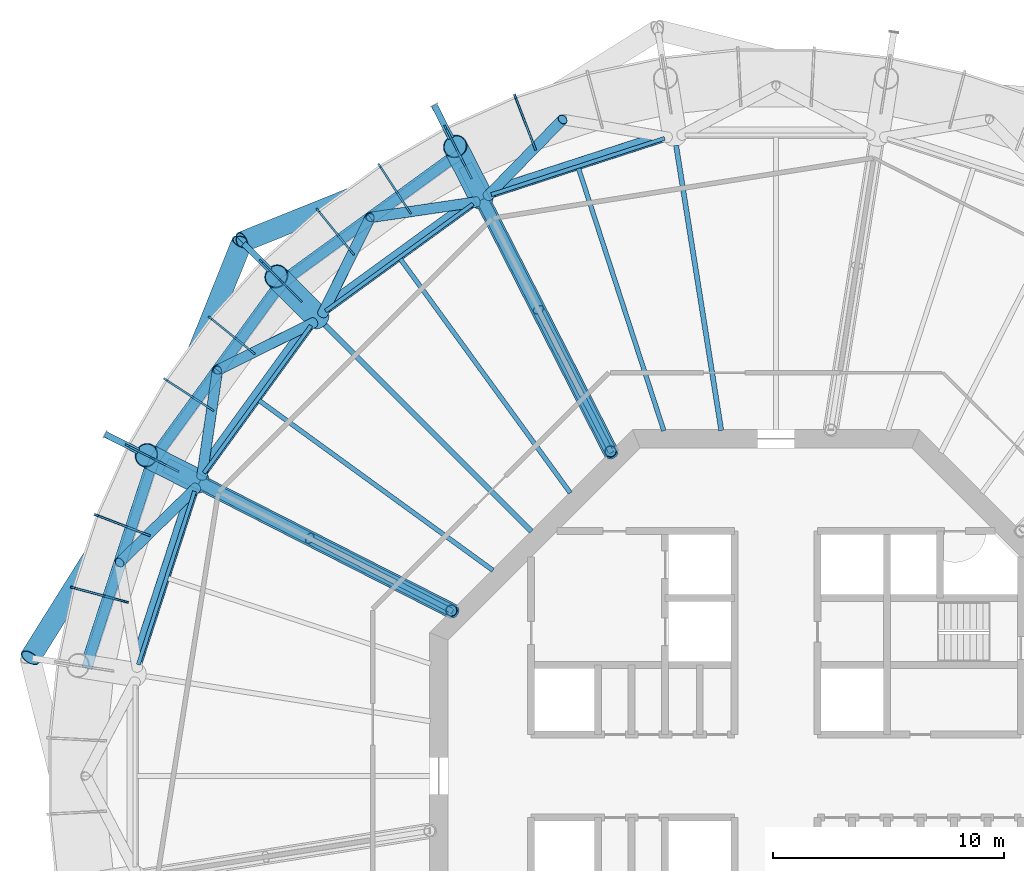
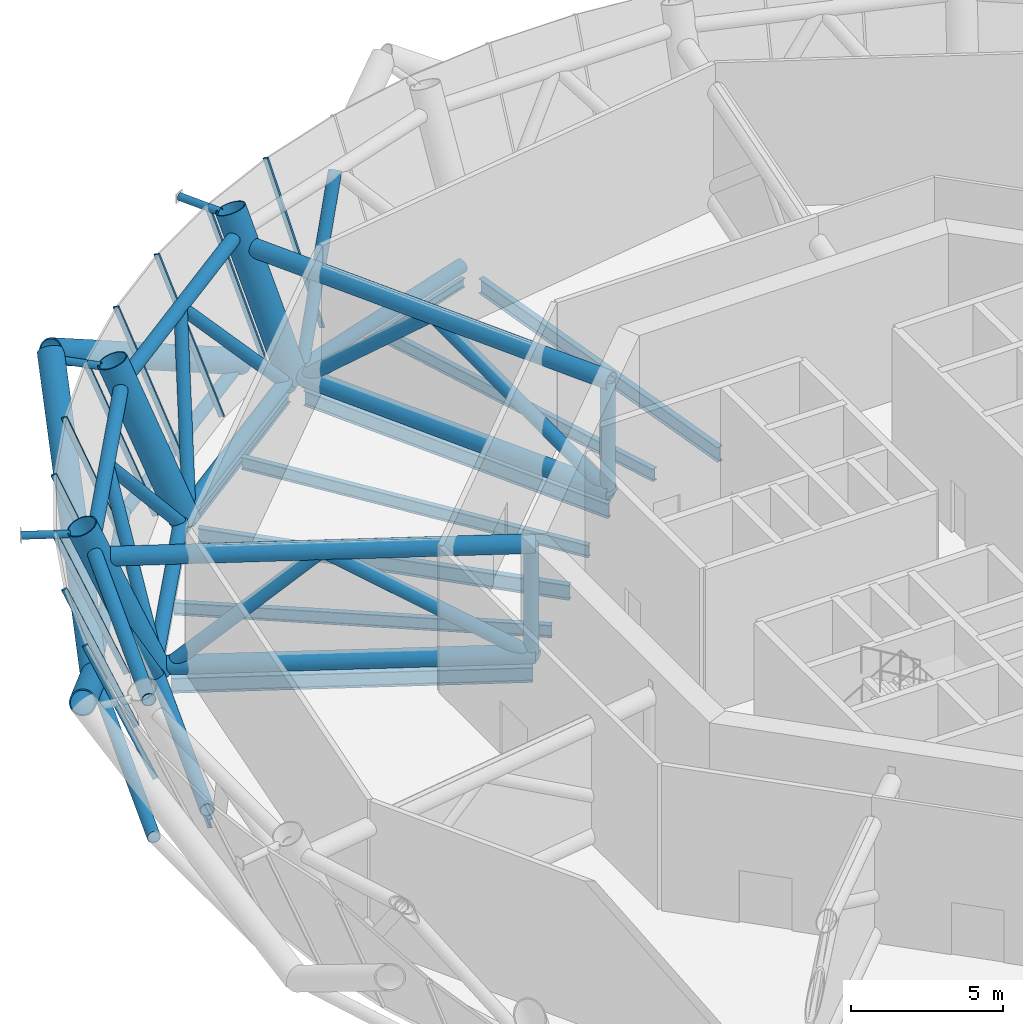
# One storey, part 4 of 20: 45 members, 11 beams, 4 elements without a shape of their own.
"""IFC4 building model written with IfcOpenShell, lengths in metres."""

from ifc_helpers import new_model, si_unit, direction, frame, origin, origin_2d, place, context, subcontext, project, spatial, rectangle, circle, hollow_circle, i_section, extrude, material, layer, layer_set, material_profile, profile_set, type_object, element, aggregate, save


model = new_model("IFC4")

# Units and contexts
model_context = context("Model", 3, precision=1e-05, world=origin(), true_north=direction((0.0, 1.0)))
body_context = subcontext(model_context, "Body", "Model", "MODEL_VIEW")
ifc_project = project(units=[si_unit("LENGTHUNIT", "METRE"), si_unit("AREAUNIT", "SQUARE_METRE"), si_unit("VOLUMEUNIT", "CUBIC_METRE"), si_unit("PLANEANGLEUNIT", "RADIAN"), si_unit("MASSUNIT", "GRAM", prefix="KILO")], contexts=[model_context])

# Site, building, storey
site_placement = place(None, origin())
site = spatial("IfcSite", under=ifc_project, at=site_placement, CompositionType="ELEMENT")
building_placement = place(site_placement, origin())
building = spatial("IfcBuilding", under=site, at=building_placement, Name="Entoto Ring Tower", CompositionType="ELEMENT")
storey_placement = place(building_placement, frame((0.0, 0.0, 330.0)))
storey = spatial("IfcBuildingStorey", under=building, at=storey_placement, Name="L76", CompositionType="ELEMENT", Elevation=330.0)

# Members
ifc_material_1 = material(Name="Steel S355", Category="steel")
ifc_material_profile_1 = material_profile(ifc_material_1, hollow_circle(Radius=0.449951171875, WallThickness=0.044921875, at=origin_2d()), Name="CHS 900 x 45")
ifc_material_2 = material(Name="Concrete C60/75", Category="concrete")
ifc_material_profile_2 = material_profile(ifc_material_2, circle(Radius=0.405029296875, at=origin_2d()), Name="Concrete C60/75 infill")
ifc_profile_set_1 = profile_set([ifc_material_profile_1, ifc_material_profile_2], Name="Steel S355")
member_type_1 = type_object("IfcMemberType", Name="Diagrid diagonal 900 x 45 concrete-filled tube", PredefinedType="BRACE", material=ifc_profile_set_1)
for number, where, z_axis, x_axis, name in (
    (1, (76.28955078125, 106.908447265625, 0.0), (-0.798539539663, -0.321230348917, 0.50906351915), (0.373207322886, -0.927747969086, 0.0), "DG2 module 25 08"),
    (2, (63.091552734375, 93.71044921875, 0.0), (0.321230348917, 0.798539539663, 0.50906351915), (-0.927747969086, 0.373207322886, 0.0), "DG2 module 25 09"),
):
    element("IfcMember", number, at=place(storey_placement, frame(where, z_axis=z_axis, x_axis=x_axis)), inside=storey, type_object=member_type_1, Name=name, PredefinedType="BRACE", context=body_context, shape_type="SweptSolid", body=[
        extrude(hollow_circle(Radius=0.449951171875, WallThickness=0.044921875, at=origin_2d()), origin(), (0.0, 0.0, 1.0), 11.786376953125),
    ])
member_1_placement = place(storey_placement, frame((63.091552734375, 93.71044921875, 0.0), z_axis=(-0.457223459156, -0.729241692547, 0.509070979578), x_axis=(0.847241662915, -0.531207647366, 0.0)))
element("IfcMember", 3, at=member_1_placement, inside=storey, type_object=member_type_1, Name="DG2 module 25 10", PredefinedType="BRACE", context=body_context, shape_type="SweptSolid", body=[
    extrude(hollow_circle(Radius=0.449951171875, WallThickness=0.044921875, at=origin_2d()), origin(), (0.0, 0.0, 1.0), 11.7861328125),
])
ifc_material_3 = material(Name="Steel S355", Category="steel")
ifc_material_profile_3 = material_profile(ifc_material_3, hollow_circle(Radius=0.136474609375, WallThickness=0.012451171875, at=origin_2d()), Name="CHS 273 x 12.5")
ifc_material_4 = material(Name="Concrete C60/75", Category="concrete")
ifc_material_profile_4 = material_profile(ifc_material_4, circle(Radius=0.1240234375, at=origin_2d()), Name="Concrete C60/75 infill")
ifc_profile_set_2 = profile_set([ifc_material_profile_3, ifc_material_profile_4], Name="Steel S355")
member_type_2 = type_object("IfcMemberType", Name="Diagrid node strut 273 x 12.5", PredefinedType="STRUT", material=ifc_profile_set_2)
for number, where, z_axis, x_axis, name in (
    (4, (75.932861328125, 107.6083984375, 5.71337890625), (-0.453975618933, 0.891014106181, 0.0), (-0.891014106181, -0.453975618933, 0.0), "DS2 strut ring 25 06"),
    (5, (68.08984375, 101.91015625, 5.71337890625), (-0.707106781187, 0.707106781187, 0.0), (-0.707106781187, -0.707106781187, 0.0), "DS2 strut ring 25 07"),
    (6, (62.3916015625, 94.067138671875, 5.71337890625), (-0.891014106181, 0.453975618933, 0.0), (-0.453975618933, -0.891014106181, 0.0), "DS2 strut ring 25 08"),
):
    element("IfcMember", number, at=place(storey_placement, frame(where, z_axis=z_axis, x_axis=x_axis)), inside=storey, type_object=member_type_2, Name=name, PredefinedType="STRUT", context=body_context, shape_type="SweptSolid", body=[
        extrude(hollow_circle(Radius=0.136474609375, WallThickness=0.012451171875, at=origin_2d()), origin(), (0.0, 0.0, 1.0), 1.614501953125),
    ])
ifc_material_5 = material(Name="Steel S355", Category="steel")
ifc_material_profile_5 = material_profile(ifc_material_5, hollow_circle(Radius=0.228515625, WallThickness=0.02001953125, at=origin_2d()), Name="CHS 457 x 20")
ifc_material_6 = material(Name="Concrete C60/75", Category="concrete")
ifc_material_profile_6 = material_profile(ifc_material_6, circle(Radius=0.20849609375, at=origin_2d()), Name="Concrete C60/75 infill")
ifc_profile_set_3 = profile_set([ifc_material_profile_5, ifc_material_profile_6], Name="Steel S355")
member_type_3 = type_object("IfcMemberType", Name="Diagrid ring beam 457 x 20", PredefinedType="CHORD", material=ifc_profile_set_3)
for number, where, z_axis, x_axis, name in (
    (7, (76.3349609375, 106.94140625, 0.0), (-0.809017564037, -0.587784468219, 0.0), (0.587784468219, -0.809017564037, 0.0), "DR3 ring 24 07"),
    (8, (68.678466796875, 101.400146484375, 0.0), (-0.587784468219, -0.809017564037, 0.0), (0.809017564037, -0.587784468219, 0.0), "DR3 ring 24 08"),
    (9, (63.10888671875, 93.763916015625, 0.0), (-0.309002348931, -0.951061274764, 0.0), (0.951061274764, -0.309002348931, 0.0), "DR3 ring 24 09"),
):
    element("IfcMember", number, at=place(storey_placement, frame(where, z_axis=z_axis, x_axis=x_axis)), inside=storey, type_object=member_type_3, Name=name, PredefinedType="CHORD", context=body_context, shape_type="SweptSolid", body=[
        extrude(hollow_circle(Radius=0.228515625, WallThickness=0.02001953125, at=origin_2d()), origin(), (0.0, 0.0, 1.0), 9.56103515625),
    ])

# Beams
ifc_material_7 = material(Name="Steel S355", Category="steel")
ifc_material_profile_7 = material_profile(ifc_material_7, i_section(OverallWidth=0.169921875, OverallDepth=0.360107421875, WebThickness=0.008056640625, FlangeThickness=0.0126953125, FilletRadius=0.01806640625, at=origin_2d()), Name="IPE 360")
ifc_profile_set_4 = profile_set([ifc_material_profile_7], Name="Steel S355")
beam_type_1 = type_object("IfcBeamType", Name="Edge beam IPE 360", PredefinedType="SPANDREL", material=ifc_profile_set_4)
beam_1_placement = place(storey_placement, frame((85.1787109375, 107.61572265625, -0.330078125), z_axis=(-0.951061101079, -0.309002883506, 0.0), x_axis=(0.309002883506, -0.951061101079, 0.0)))
element("IfcBeam", 10, at=beam_1_placement, inside=storey, type_object=beam_type_1, Name="Edge beam L76 06", PredefinedType="SPANDREL", context=body_context, shape_type="SweptSolid", body=[
    extrude(i_section(OverallWidth=0.169921875, OverallDepth=0.360107421875, WebThickness=0.008056640625, FlangeThickness=0.0126953125, FilletRadius=0.01806640625, at=origin_2d()), origin(), (0.0, 0.0, 1.0), 7.89697265625),
])
for number, where, z_axis, x_axis, name in (
    (11, (76.881103515625, 104.7744140625, -0.330078125), (-0.809015398073, -0.587787449408, 0.0), (0.587787449408, -0.809015398073, 0.0), "Edge beam L76 07"),
    (12, (69.867431640625, 99.5078125, -0.330078125), (-0.587787449408, -0.809015398073, 0.0), (0.809015398073, -0.587787449408, 0.0), "Edge beam L76 08"),
):
    element("IfcBeam", number, at=place(storey_placement, frame(where, z_axis=z_axis, x_axis=x_axis)), inside=storey, type_object=beam_type_1, Name=name, PredefinedType="SPANDREL", context=body_context, shape_type="SweptSolid", body=[
        extrude(i_section(OverallWidth=0.169921875, OverallDepth=0.360107421875, WebThickness=0.008056640625, FlangeThickness=0.0126953125, FilletRadius=0.01806640625, at=origin_2d()), origin(), (0.0, 0.0, 1.0), 7.897216796875),
    ])
beam_2_placement = place(storey_placement, frame((64.824462890625, 92.331787109375, -0.330078125), z_axis=(-0.309002883506, -0.951061101079, 0.0), x_axis=(0.951061101079, -0.309002883506, 0.0)))
element("IfcBeam", 13, at=beam_2_placement, inside=storey, type_object=beam_type_1, Name="Edge beam L76 09", PredefinedType="SPANDREL", context=body_context, shape_type="SweptSolid", body=[
    extrude(i_section(OverallWidth=0.169921875, OverallDepth=0.360107421875, WebThickness=0.008056640625, FlangeThickness=0.0126953125, FilletRadius=0.01806640625, at=origin_2d()), origin(), (0.0, 0.0, 1.0), 7.89697265625),
])

# Curtain wall, member
ifc_material_8 = material(Name="Anodised aluminium", Category="aluminium")
ifc_layer = layer(ifc_material_8, 0.10009765625)
ifc_layer_set = layer_set([ifc_layer], Name="Anodised aluminium")
curtain_wall_type = type_object("IfcCurtainWallType", Name="Louvre curtain wall system CW7", PredefinedType="NOTDEFINED", material=ifc_layer_set)
curtain_wall_1_placement = place(storey_placement, origin())
curtain_wall_1 = element("IfcCurtainWall", 14, at=curtain_wall_1_placement, inside=storey, type_object=curtain_wall_type, Name="CW7 L76-06", PredefinedType="NOTDEFINED")
ifc_material_9 = material(Name="Anodised aluminium", Category="aluminium")
ifc_material_profile_8 = material_profile(ifc_material_9, rectangle(XDim=0.080078125, YDim=0.199951171875, at=origin_2d()), Name="Mullion 80 x 200 mm anodised aluminium")
ifc_profile_set_5 = profile_set([ifc_material_profile_8], Name="Anodised aluminium")
member_type_4 = type_object("IfcMemberType", Name="Mullion 80 x 200 mm anodised aluminium", PredefinedType="MULLION", material=ifc_profile_set_5)
member_2_placement = place(storey_placement, frame((79.562744140625, 107.18994140625, 0.03857421875), z_axis=(-0.137840906866, 0.359065607861, 0.92307733893), x_axis=(-0.933573002991, -0.358387287841, 0.0)))
member_2 = element("IfcMember", 15, at=member_2_placement, type_object=member_type_4, Name="MULLION L76-17", PredefinedType="MULLION", context=body_context, shape_type="SweptSolid", body=[
    extrude(rectangle(XDim=0.080078125, YDim=0.199951171875, at=origin_2d()), origin(), (0.0, 0.0, 1.0), 6.25390625),
])
aggregate(curtain_wall_1, [member_2])

# Curtain wall, members
curtain_wall_2_placement = place(storey_placement, origin())
curtain_wall_2 = element("IfcCurtainWall", 16, at=curtain_wall_2_placement, inside=storey, type_object=curtain_wall_type, Name="CW7 L76-07", PredefinedType="NOTDEFINED")
member_3_placement = place(storey_placement, frame((76.77783203125, 105.949951171875, 0.03857421875), z_axis=(-0.174613111757, 0.342707021712, 0.923072130698), x_axis=(-0.891011611713, -0.453980514773, 0.0)))
member_3 = element("IfcMember", 17, at=member_3_placement, type_object=member_type_4, Name="MULLION L76-18", PredefinedType="MULLION", context=body_context, shape_type="SweptSolid", body=[
    extrude(rectangle(XDim=0.080078125, YDim=0.199951171875, at=origin_2d()), origin(), (0.0, 0.0, 1.0), 6.254150390625),
])
member_4_placement = place(storey_placement, frame((74.1376953125, 104.42578125, 0.03857421875), z_axis=(-0.209474462982, 0.322565689083, 0.923077367064), x_axis=(-0.838673115143, -0.544635112654, 0.0)))
member_4 = element("IfcMember", 18, at=member_4_placement, type_object=member_type_4, Name="MULLION L76-19", PredefinedType="MULLION", context=body_context, shape_type="SweptSolid", body=[
    extrude(rectangle(XDim=0.080078125, YDim=0.199951171875, at=origin_2d()), origin(), (0.0, 0.0, 1.0), 6.25390625),
])
member_5_placement = place(storey_placement, frame((71.67138671875, 102.6337890625, 0.03857421875), z_axis=(-0.242031891748, 0.298909386308, 0.923078405204), x_axis=(-0.777171592091, -0.629288738535, 0.0)))
member_5 = element("IfcMember", 19, at=member_5_placement, type_object=member_type_4, Name="MULLION L76-20", PredefinedType="MULLION", context=body_context, shape_type="SweptSolid", body=[
    extrude(rectangle(XDim=0.080078125, YDim=0.199951171875, at=origin_2d()), origin(), (0.0, 0.0, 1.0), 6.25390625),
])
aggregate(curtain_wall_2, [member_3, member_4, member_5])

curtain_wall_3_placement = place(storey_placement, origin())
curtain_wall_3 = element("IfcCurtainWall", 20, at=curtain_wall_3_placement, inside=storey, type_object=curtain_wall_type, Name="CW7 L76-08", PredefinedType="NOTDEFINED")
member_6_placement = place(storey_placement, frame((69.406005859375, 100.593994140625, 0.03857421875), z_axis=(-0.271971811529, 0.271971811529, 0.923072406405), x_axis=(-0.707106781187, -0.707106781187, 0.0)))
member_6 = element("IfcMember", 21, at=member_6_placement, type_object=member_type_4, Name="MULLION L76-21", PredefinedType="MULLION", context=body_context, shape_type="SweptSolid", body=[
    extrude(rectangle(XDim=0.080078125, YDim=0.199951171875, at=origin_2d()), origin(), (0.0, 0.0, 1.0), 6.254150390625),
])
member_7_placement = place(storey_placement, frame((67.3662109375, 98.32861328125, 0.03857421875), z_axis=(-0.298909386308, 0.242031891748, 0.923078405204), x_axis=(-0.629288738535, -0.777171592091, 0.0)))
member_7 = element("IfcMember", 22, at=member_7_placement, type_object=member_type_4, Name="MULLION L76-22", PredefinedType="MULLION", context=body_context, shape_type="SweptSolid", body=[
    extrude(rectangle(XDim=0.080078125, YDim=0.199951171875, at=origin_2d()), origin(), (0.0, 0.0, 1.0), 6.25390625),
])
member_8_placement = place(storey_placement, frame((65.57421875, 95.8623046875, 0.03857421875), z_axis=(-0.322565689083, 0.209474462982, 0.923077367064), x_axis=(-0.544635112654, -0.838673115143, 0.0)))
member_8 = element("IfcMember", 23, at=member_8_placement, type_object=member_type_4, Name="MULLION L76-23", PredefinedType="MULLION", context=body_context, shape_type="SweptSolid", body=[
    extrude(rectangle(XDim=0.080078125, YDim=0.199951171875, at=origin_2d()), origin(), (0.0, 0.0, 1.0), 6.25390625),
])
aggregate(curtain_wall_3, [member_6, member_7, member_8])

curtain_wall_4_placement = place(storey_placement, origin())
curtain_wall_4 = element("IfcCurtainWall", 24, at=curtain_wall_4_placement, inside=storey, type_object=curtain_wall_type, Name="CW7 L76-09", PredefinedType="NOTDEFINED")
member_9_placement = place(storey_placement, frame((64.050048828125, 93.22216796875, 0.03857421875), z_axis=(-0.342707021712, 0.174613111757, 0.923072130698), x_axis=(-0.453980514773, -0.891011611713, 0.0)))
member_9 = element("IfcMember", 25, at=member_9_placement, type_object=member_type_4, Name="MULLION L76-24", PredefinedType="MULLION", context=body_context, shape_type="SweptSolid", body=[
    extrude(rectangle(XDim=0.080078125, YDim=0.199951171875, at=origin_2d()), origin(), (0.0, 0.0, 1.0), 6.254150390625),
])
member_10_placement = place(storey_placement, frame((62.81005859375, 90.437255859375, 0.03857421875), z_axis=(-0.359065607861, 0.137840906866, 0.92307733893), x_axis=(-0.358387287841, -0.933573002991, 0.0)))
member_10 = element("IfcMember", 26, at=member_10_placement, type_object=member_type_4, Name="MULLION L76-25", PredefinedType="MULLION", context=body_context, shape_type="SweptSolid", body=[
    extrude(rectangle(XDim=0.080078125, YDim=0.199951171875, at=origin_2d()), origin(), (0.0, 0.0, 1.0), 6.25390625),
])
member_11_placement = place(storey_placement, frame((61.867919921875, 87.537841796875, 0.03857421875), z_axis=(-0.371517215719, 0.099544909119, 0.923074086676), x_axis=(-0.258812183003, -0.965927664957, 0.0)))
member_11 = element("IfcMember", 27, at=member_11_placement, type_object=member_type_4, Name="MULLION L76-26", PredefinedType="MULLION", context=body_context, shape_type="SweptSolid", body=[
    extrude(rectangle(XDim=0.080078125, YDim=0.199951171875, at=origin_2d()), origin(), (0.0, 0.0, 1.0), 6.254150390625),
])
aggregate(curtain_wall_4, [member_9, member_10, member_11])

# Members
ifc_material_10 = material(Name="Steel S355", Category="steel")
ifc_material_profile_9 = material_profile(ifc_material_10, hollow_circle(Radius=0.330078125, WallThickness=0.031982421875, at=origin_2d()), Name="CHS 660 x 32")
ifc_material_11 = material(Name="Concrete C60/75", Category="concrete")
ifc_material_profile_10 = material_profile(ifc_material_11, circle(Radius=0.298095703125, at=origin_2d()), Name="Concrete C60/75 infill")
ifc_profile_set_6 = profile_set([ifc_material_profile_9, ifc_material_profile_10], Name="Steel S355")
member_type_5 = type_object("IfcMemberType", Name="Outrigger chord 660 x 32", PredefinedType="CHORD", material=ifc_profile_set_6)
member_12_placement = place(storey_placement, frame((82.8974609375, 93.939453125, 0.330078125), z_axis=(-0.453996999061, 0.891003212589, 0.0), x_axis=(-0.891003212589, -0.453996999061, 0.0)))
element("IfcMember", 28, at=member_12_placement, inside=storey, type_object=member_type_5, Name="OR1C L76 bottom 04", PredefinedType="CHORD", context=body_context, shape_type="SweptSolid", body=[
    extrude(hollow_circle(Radius=0.330078125, WallThickness=0.031982421875, at=origin_2d()), origin(), (0.0, 0.0, 1.0), 12.170654296875),
])
member_13_placement = place(storey_placement, frame((82.8974609375, 93.939453125, 4.76708984375), z_axis=(-0.453978476947, 0.891012650005, 0.0), x_axis=(-0.891012650005, -0.453978476947, 0.0)))
element("IfcMember", 29, at=member_13_placement, inside=storey, type_object=member_type_5, Name="OR1C L76 top 04", PredefinedType="CHORD", context=body_context, shape_type="SweptSolid", body=[
    extrude(hollow_circle(Radius=0.330078125, WallThickness=0.031982421875, at=origin_2d()), origin(), (0.0, 0.0, 1.0), 14.019287109375),
])
member_14_placement = place(storey_placement, frame((76.060546875, 87.1025390625, 0.330078125), z_axis=(-0.891003212589, 0.453996999061, 0.0), x_axis=(-0.453996999061, -0.891003212589, 0.0)))
element("IfcMember", 30, at=member_14_placement, inside=storey, type_object=member_type_5, Name="OR1C L76 bottom 05", PredefinedType="CHORD", context=body_context, shape_type="SweptSolid", body=[
    extrude(hollow_circle(Radius=0.330078125, WallThickness=0.031982421875, at=origin_2d()), origin(), (0.0, 0.0, 1.0), 12.170654296875),
])
member_15_placement = place(storey_placement, frame((76.060546875, 87.1025390625, 4.76708984375), z_axis=(-0.891012650005, 0.453978476947, 0.0), x_axis=(-0.453978476947, -0.891012650005, 0.0)))
element("IfcMember", 31, at=member_15_placement, inside=storey, type_object=member_type_5, Name="OR1C L76 top 05", PredefinedType="CHORD", context=body_context, shape_type="SweptSolid", body=[
    extrude(hollow_circle(Radius=0.330078125, WallThickness=0.031982421875, at=origin_2d()), origin(), (0.0, 0.0, 1.0), 14.019287109375),
])
ifc_material_12 = material(Name="Steel S355", Category="steel")
ifc_material_profile_11 = material_profile(ifc_material_12, hollow_circle(Radius=0.25390625, WallThickness=0.030029296875, at=origin_2d()), Name="CHS 508 x 30")
ifc_material_13 = material(Name="Concrete C60/75", Category="concrete")
ifc_material_profile_12 = material_profile(ifc_material_13, circle(Radius=0.22412109375, at=origin_2d()), Name="Concrete C60/75 infill")
ifc_profile_set_7 = profile_set([ifc_material_profile_11, ifc_material_profile_12], Name="Steel S355")
member_type_6 = type_object("IfcMemberType", Name="Outrigger diagonal 508 x 30", PredefinedType="BRACE", material=ifc_profile_set_7)
member_16_placement = place(storey_placement, frame((82.920166015625, 93.89501953125, 0.216064453125), z_axis=(-0.381783852649, 0.749255528325, 0.541162861929), x_axis=(-0.890997339759, -0.454008524746, 0.0)))
element("IfcMember", 32, at=member_16_placement, inside=storey, type_object=member_type_6, Name="OR2B L76 04 1", PredefinedType="BRACE", context=body_context, shape_type="SweptSolid", body=[
    extrude(hollow_circle(Radius=0.25390625, WallThickness=0.030029296875, at=origin_2d()), origin(), (0.0, 0.0, 1.0), 8.40966796875),
])
member_17_placement = place(storey_placement, frame((79.70947265625, 100.196044921875, 4.76708984375), z_axis=(-0.340906756694, 0.669119236273, -0.660349930635), x_axis=(-0.8910208105, -0.453962460183, 0.0)))
element("IfcMember", 33, at=member_17_placement, inside=storey, type_object=member_type_6, Name="OR2B L76 04 2", PredefinedType="BRACE", context=body_context, shape_type="SweptSolid", body=[
    extrude(hollow_circle(Radius=0.25390625, WallThickness=0.030029296875, at=origin_2d()), origin(), (0.0, 0.0, 1.0), 6.904296875),
])
member_18_placement = place(storey_placement, frame((76.10498046875, 87.079833984375, 0.216064453125), z_axis=(-0.749255528325, 0.381783852649, 0.541162861929), x_axis=(-0.454008524746, -0.890997339759, 0.0)))
element("IfcMember", 34, at=member_18_placement, inside=storey, type_object=member_type_6, Name="OR2B L76 05 1", PredefinedType="BRACE", context=body_context, shape_type="SweptSolid", body=[
    extrude(hollow_circle(Radius=0.25390625, WallThickness=0.030029296875, at=origin_2d()), origin(), (0.0, 0.0, 1.0), 8.40966796875),
])
member_19_placement = place(storey_placement, frame((69.803955078125, 90.29052734375, 4.76708984375), z_axis=(-0.669119236273, 0.340906756694, -0.660349930635), x_axis=(-0.453962460183, -0.8910208105, 0.0)))
element("IfcMember", 35, at=member_19_placement, inside=storey, type_object=member_type_6, Name="OR2B L76 05 2", PredefinedType="BRACE", context=body_context, shape_type="SweptSolid", body=[
    extrude(hollow_circle(Radius=0.25390625, WallThickness=0.030029296875, at=origin_2d()), origin(), (0.0, 0.0, 1.0), 6.904296875),
])
ifc_material_14 = material(Name="Steel S355", Category="steel")
ifc_material_profile_13 = material_profile(ifc_material_14, hollow_circle(Radius=0.25390625, WallThickness=0.030029296875, at=origin_2d()), Name="CHS 508 x 30")
ifc_material_15 = material(Name="Concrete C60/75", Category="concrete")
ifc_material_profile_14 = material_profile(ifc_material_15, circle(Radius=0.22412109375, at=origin_2d()), Name="Concrete C60/75 infill")
ifc_profile_set_8 = profile_set([ifc_material_profile_13, ifc_material_profile_14], Name="Steel S355")
member_type_7 = type_object("IfcMemberType", Name="Outrigger post 508 x 30", PredefinedType="POST", material=ifc_profile_set_8)
for number, where, z_axis, x_axis, name in (
    (36, (82.839599609375, 94.052978515625, 0.330078125), (0.0, 0.0, 1.0), (1.0, 0.0, 0.0), "OR3 L76 04"),
    (37, (75.947021484375, 87.160400390625, 0.330078125), (0.0, 0.0, 1.0), (1.0, 0.0, 0.0), "OR3 L76 05"),
):
    element("IfcMember", number, at=place(storey_placement, frame(where, z_axis=z_axis, x_axis=x_axis)), inside=storey, type_object=member_type_7, Name=name, PredefinedType="POST", context=body_context, shape_type="SweptSolid", body=[
        extrude(hollow_circle(Radius=0.25390625, WallThickness=0.030029296875, at=origin_2d()), origin(), (0.0, 0.0, 1.0), 4.43701171875),
    ])

# Beams
ifc_material_16 = material(Name="Steel S355", Category="steel")
ifc_material_profile_15 = material_profile(ifc_material_16, i_section(OverallWidth=0.219970703125, OverallDepth=0.60009765625, WebThickness=0.011962890625, FlangeThickness=0.01904296875, FilletRadius=0.02392578125, at=origin_2d()), Name="IPE 600")
ifc_profile_set_9 = profile_set([ifc_material_profile_15], Name="Steel S355")
beam_type_2 = type_object("IfcBeamType", Name="Primary floor beam IPE 600", PredefinedType="BEAM", material=ifc_profile_set_9)
beam_3_placement = place(storey_placement, frame((87.630126953125, 94.963134765625, -0.449951171875), z_axis=(-0.156439647277, 0.987687519796, 0.0), x_axis=(-0.987687519796, -0.156439647277, 0.0)))
element("IfcBeam", 38, at=beam_3_placement, inside=storey, type_object=beam_type_2, Name="Primary L76 R06", PredefinedType="BEAM", context=body_context, shape_type="SweptSolid", body=[
    extrude(i_section(OverallWidth=0.219970703125, OverallDepth=0.60009765625, WebThickness=0.011962890625, FlangeThickness=0.01904296875, FilletRadius=0.02392578125, at=origin_2d()), origin(), (0.0, 0.0, 1.0), 12.50830078125),
])
beam_4_placement = place(storey_placement, frame((82.864990234375, 94.003173828125, -0.449951171875), z_axis=(-0.453988257638, 0.891007666593, 0.0), x_axis=(-0.891007666593, -0.453988257638, 0.0)))
element("IfcBeam", 39, at=beam_4_placement, inside=storey, type_object=beam_type_2, Name="Primary L76 R07", PredefinedType="BEAM", context=body_context, shape_type="SweptSolid", body=[
    extrude(i_section(OverallWidth=0.219970703125, OverallDepth=0.60009765625, WebThickness=0.011962890625, FlangeThickness=0.01904296875, FilletRadius=0.02392578125, at=origin_2d()), origin(), (0.0, 0.0, 1.0), 11.941650390625),
])
beam_5_placement = place(storey_placement, frame((79.407470703125, 90.592529296875, -0.449951171875), z_axis=(-0.707106781187, 0.707106781187, 0.0), x_axis=(-0.707106781187, -0.707106781187, 0.0)))
element("IfcBeam", 40, at=beam_5_placement, inside=storey, type_object=beam_type_2, Name="Primary L76 R08", PredefinedType="BEAM", context=body_context, shape_type="SweptSolid", body=[
    extrude(i_section(OverallWidth=0.219970703125, OverallDepth=0.60009765625, WebThickness=0.011962890625, FlangeThickness=0.01904296875, FilletRadius=0.02392578125, at=origin_2d()), origin(), (0.0, 0.0, 1.0), 12.677978515625),
])
beam_6_placement = place(storey_placement, frame((75.996826171875, 87.135009765625, -0.449951171875), z_axis=(-0.891007666593, 0.453988257638, 0.0), x_axis=(-0.453988257638, -0.891007666593, 0.0)))
element("IfcBeam", 41, at=beam_6_placement, inside=storey, type_object=beam_type_2, Name="Primary L76 R09", PredefinedType="BEAM", context=body_context, shape_type="SweptSolid", body=[
    extrude(i_section(OverallWidth=0.219970703125, OverallDepth=0.60009765625, WebThickness=0.011962890625, FlangeThickness=0.01904296875, FilletRadius=0.02392578125, at=origin_2d()), origin(), (0.0, 0.0, 1.0), 11.941650390625),
])

# Members
ifc_material_17 = material(Name="Steel S355", Category="steel")
ifc_material_profile_16 = material_profile(ifc_material_17, hollow_circle(Radius=0.52490234375, WallThickness=0.0400390625, at=origin_2d()), Name="CHS 1050 x 40")
ifc_material_18 = material(Name="Concrete C60/75", Category="concrete")
ifc_material_profile_17 = material_profile(ifc_material_18, circle(Radius=0.485107421875, at=origin_2d()), Name="Concrete C60/75 infill")
ifc_profile_set_10 = profile_set([ifc_material_profile_16, ifc_material_profile_17], Name="Steel S355")
member_type_8 = type_object("IfcMemberType", Name="Ring column jog 1050 x 40 concrete-filled tube", PredefinedType="STRUT", material=ifc_profile_set_10)
for number, where, z_axis, x_axis, name in (
    (42, (77.242919921875, 105.037353515625, 0.0), (-0.174616520339, 0.342697597672, 0.923074984698), (-0.891002976909, -0.453997461601, 0.0), "RJ5B R07"),
    (43, (70.13037109375, 99.86962890625, 0.0), (-0.271971397377, 0.271971397377, 0.923072650455), (-0.707106781187, -0.707106781187, 0.0), "RJ5B R08"),
    (44, (64.962646484375, 92.757080078125, 0.0), (-0.342697597672, 0.174616520339, 0.923074984698), (-0.453997461601, -0.891002976909, 0.0), "RJ5B R09"),
):
    element("IfcMember", number, at=place(storey_placement, frame(where, z_axis=z_axis, x_axis=x_axis)), inside=storey, type_object=member_type_8, Name=name, PredefinedType="STRUT", context=body_context, shape_type="SweptSolid", body=[
        extrude(hollow_circle(Radius=0.52490234375, WallThickness=0.0400390625, at=origin_2d()), origin(), (0.0, 0.0, 1.0), 6.5),
    ])
ifc_material_19 = material(Name="Steel S355", Category="steel")
ifc_material_profile_18 = material_profile(ifc_material_19, hollow_circle(Radius=0.25390625, WallThickness=0.030029296875, at=origin_2d()), Name="CHS 508 x 30")
ifc_material_20 = material(Name="Concrete C60/75", Category="concrete")
ifc_material_profile_19 = material_profile(ifc_material_20, circle(Radius=0.22412109375, at=origin_2d()), Name="Concrete C60/75 infill")
ifc_profile_set_11 = profile_set([ifc_material_profile_18, ifc_material_profile_19], Name="Steel S355")
member_type_9 = type_object("IfcMemberType", Name="Ring truss chord 508 x 30", PredefinedType="CHORD", material=ifc_profile_set_11)
member_20_placement = place(storey_placement, frame((85.164794921875, 107.72119140625, 0.25390625), z_axis=(-0.951058709537, -0.309010244188, 0.0), x_axis=(0.309010244188, -0.951058709537, 0.0)))
element("IfcMember", 45, at=member_20_placement, inside=storey, type_object=member_type_9, Name="BT1 L76 bottom 06", PredefinedType="CHORD", context=body_context, shape_type="SweptSolid", body=[
    extrude(hollow_circle(Radius=0.25390625, WallThickness=0.030029296875, at=origin_2d()), origin(), (0.0, 0.0, 1.0), 7.935546875),
])
member_21_placement = place(storey_placement, frame((76.835205078125, 104.870361328125, 0.25390625), z_axis=(-0.809015368444, -0.587787490188, 0.0), x_axis=(0.587787490188, -0.809015368444, 0.0)))
element("IfcMember", 46, at=member_21_placement, inside=storey, type_object=member_type_9, Name="BT1 L76 bottom 07", PredefinedType="CHORD", context=body_context, shape_type="SweptSolid", body=[
    extrude(hollow_circle(Radius=0.25390625, WallThickness=0.030029296875, at=origin_2d()), origin(), (0.0, 0.0, 1.0), 7.935791015625),
])
member_22_placement = place(storey_placement, frame((75.900390625, 106.705078125, 5.196044921875), z_axis=(-0.80901776775, -0.587784187831, 0.0), x_axis=(0.587784187831, -0.80901776775, 0.0)))
element("IfcMember", 47, at=member_22_placement, inside=storey, type_object=member_type_9, Name="BT1 L76 top 07", PredefinedType="CHORD", context=body_context, shape_type="SweptSolid", body=[
    extrude(hollow_circle(Radius=0.25390625, WallThickness=0.030029296875, at=origin_2d()), origin(), (0.0, 0.0, 1.0), 8.580078125),
])
member_23_placement = place(storey_placement, frame((69.794189453125, 99.5849609375, 0.25390625), z_axis=(-0.587787490188, -0.809015368444, 0.0), x_axis=(0.809015368444, -0.587787490188, 0.0)))
element("IfcMember", 48, at=member_23_placement, inside=storey, type_object=member_type_9, Name="BT1 L76 bottom 08", PredefinedType="CHORD", context=body_context, shape_type="SweptSolid", body=[
    extrude(hollow_circle(Radius=0.25390625, WallThickness=0.030029296875, at=origin_2d()), origin(), (0.0, 0.0, 1.0), 7.935791015625),
])
member_24_placement = place(storey_placement, frame((68.338134765625, 101.041015625, 5.196044921875), z_axis=(-0.587784187831, -0.80901776775, 0.0), x_axis=(0.80901776775, -0.587784187831, 0.0)))
element("IfcMember", 49, at=member_24_placement, inside=storey, type_object=member_type_9, Name="BT1 L76 top 08", PredefinedType="CHORD", context=body_context, shape_type="SweptSolid", body=[
    extrude(hollow_circle(Radius=0.25390625, WallThickness=0.030029296875, at=origin_2d()), origin(), (0.0, 0.0, 1.0), 8.580078125),
])
member_25_placement = place(storey_placement, frame((64.73095703125, 92.38232421875, 0.25390625), z_axis=(-0.309010244188, -0.951058709537, 0.0), x_axis=(0.951058709537, -0.309010244188, 0.0)))
element("IfcMember", 50, at=member_25_placement, inside=storey, type_object=member_type_9, Name="BT1 L76 bottom 09", PredefinedType="CHORD", context=body_context, shape_type="SweptSolid", body=[
    extrude(hollow_circle(Radius=0.25390625, WallThickness=0.030029296875, at=origin_2d()), origin(), (0.0, 0.0, 1.0), 7.935546875),
])
member_26_placement = place(storey_placement, frame((62.896240234375, 93.3173828125, 5.196044921875), z_axis=(-0.309014010742, -0.951057485731, 0.0), x_axis=(0.951057485731, -0.309014010742, 0.0)))
element("IfcMember", 51, at=member_26_placement, inside=storey, type_object=member_type_9, Name="BT1 L76 top 09", PredefinedType="CHORD", context=body_context, shape_type="SweptSolid", body=[
    extrude(hollow_circle(Radius=0.25390625, WallThickness=0.030029296875, at=origin_2d()), origin(), (0.0, 0.0, 1.0), 8.580078125),
])
ifc_material_21 = material(Name="Steel S355", Category="steel")
ifc_material_profile_20 = material_profile(ifc_material_21, hollow_circle(Radius=0.228515625, WallThickness=0.02001953125, at=origin_2d()), Name="CHS 457 x 20")
ifc_material_22 = material(Name="Concrete C60/75", Category="concrete")
ifc_material_profile_21 = material_profile(ifc_material_22, circle(Radius=0.20849609375, at=origin_2d()), Name="Concrete C60/75 infill")
ifc_profile_set_12 = profile_set([ifc_material_profile_20, ifc_material_profile_21], Name="Steel S355")
member_type_10 = type_object("IfcMemberType", Name="Ring truss diagonal 457 x 20", PredefinedType="BRACE", material=ifc_profile_set_12)
for number, where, z_axis, x_axis, name in (
    (52, (80.7626953125, 108.429443359375, 5.196044921875), (-0.464338307806, -0.474500182482, -0.747823182797), (0.714718554082, -0.699412173508, 0.0), "BT2 L76 06 b"),
    (53, (77.021484375, 104.860107421875, -0.0322265625), (-0.65679300794, -0.096800841026, 0.747831894143), (0.145808963391, -0.989312764597, 0.0), "BT2 L76 07 a"),
    (54, (72.4296875, 104.183349609375, 5.196044921875), (-0.295012299733, -0.59473892954, -0.747832433568), (0.895842900287, -0.444370901393, 0.0), "BT2 L76 07 b"),
    (55, (69.974609375, 99.6328125, -0.0322265625), (-0.59473892954, -0.295012299733, 0.747832433568), (0.444370901393, -0.895842900287, 0.0), "BT2 L76 08 a"),
    (56, (65.816650390625, 97.5703125, 5.196044921875), (-0.096800841026, -0.65679300794, -0.747831894143), (0.989312764597, -0.145808963391, 0.0), "BT2 L76 08 b"),
    (57, (64.887939453125, 92.483642578125, -0.0322265625), (-0.474500182482, -0.464338307806, 0.747823182797), (0.699412173508, -0.714718554082, 0.0), "BT2 L76 09 a"),
):
    element("IfcMember", number, at=place(storey_placement, frame(where, z_axis=z_axis, x_axis=x_axis)), inside=storey, type_object=member_type_10, Name=name, PredefinedType="BRACE", context=body_context, shape_type="SweptSolid", body=[
        extrude(hollow_circle(Radius=0.228515625, WallThickness=0.02001953125, at=origin_2d()), origin(), (0.0, 0.0, 1.0), 6.9912109375),
    ])

# Beams
ifc_material_23 = material(Name="Steel S355", Category="steel")
ifc_material_profile_22 = material_profile(ifc_material_23, i_section(OverallWidth=0.199951171875, OverallDepth=0.5, WebThickness=0.01025390625, FlangeThickness=0.01611328125, FilletRadius=0.02099609375, at=origin_2d()), Name="IPE 500")
ifc_profile_set_13 = profile_set([ifc_material_profile_22], Name="Steel S355")
beam_type_3 = type_object("IfcBeamType", Name="Secondary floor beam IPE 500", PredefinedType="JOIST", material=ifc_profile_set_13)
beam_7_placement = place(storey_placement, frame((85.142333984375, 94.9501953125, -0.39990234375), z_axis=(-0.30901677521, 0.951056587506, 0.0), x_axis=(-0.951056587506, -0.30901677521, 0.0)))
element("IfcBeam", 58, at=beam_7_placement, inside=storey, type_object=beam_type_3, Name="Secondary beam L76 06", PredefinedType="JOIST", context=body_context, shape_type="SweptSolid", body=[
    extrude(i_section(OverallWidth=0.199951171875, OverallDepth=0.5, WebThickness=0.01025390625, FlangeThickness=0.01611328125, FilletRadius=0.02099609375, at=origin_2d()), origin(), (0.0, 0.0, 1.0), 11.94970703125),
])
for number, where, z_axis, x_axis, name in (
    (59, (81.094482421875, 92.257568359375, -0.39990234375), (-0.587788946436, 0.80901431041, 0.0), (-0.80901431041, -0.587788946436, 0.0), "Secondary beam L76 07"),
    (60, (77.742431640625, 88.905517578125, -0.39990234375), (-0.80901431041, 0.587788946436, 0.0), (-0.587788946436, -0.80901431041, 0.0), "Secondary beam L76 08"),
):
    element("IfcBeam", number, at=place(storey_placement, frame(where, z_axis=z_axis, x_axis=x_axis)), inside=storey, type_object=beam_type_3, Name=name, PredefinedType="JOIST", context=body_context, shape_type="SweptSolid", body=[
        extrude(i_section(OverallWidth=0.199951171875, OverallDepth=0.5, WebThickness=0.01025390625, FlangeThickness=0.01611328125, FilletRadius=0.02099609375, at=origin_2d()), origin(), (0.0, 0.0, 1.0), 12.51806640625),
    ])

save(model, "model.ifc")
